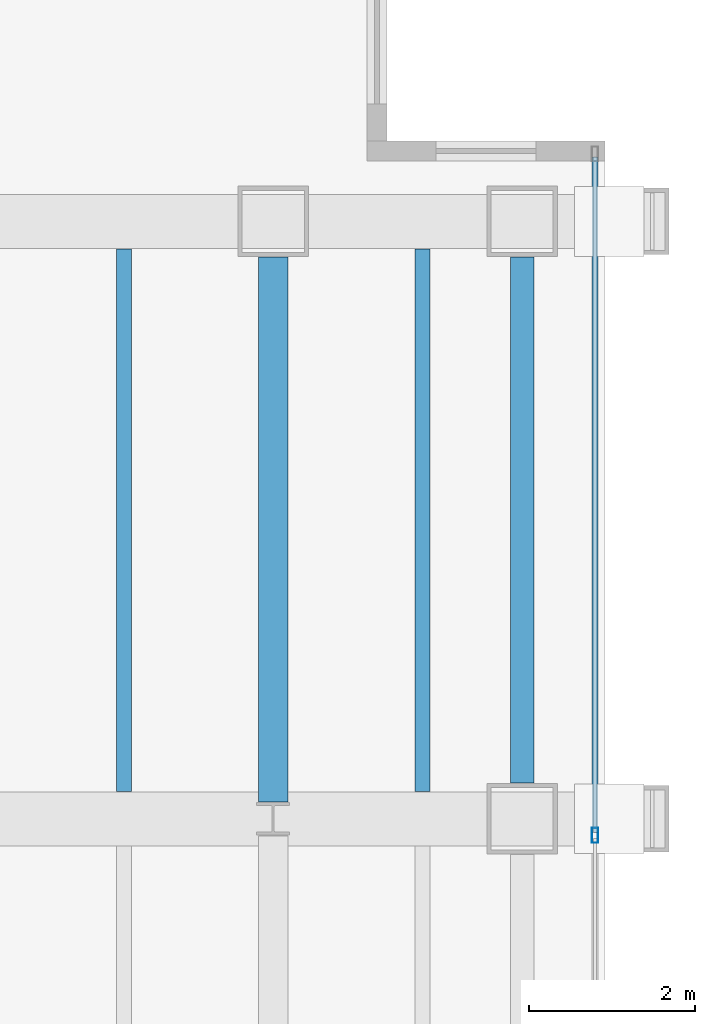
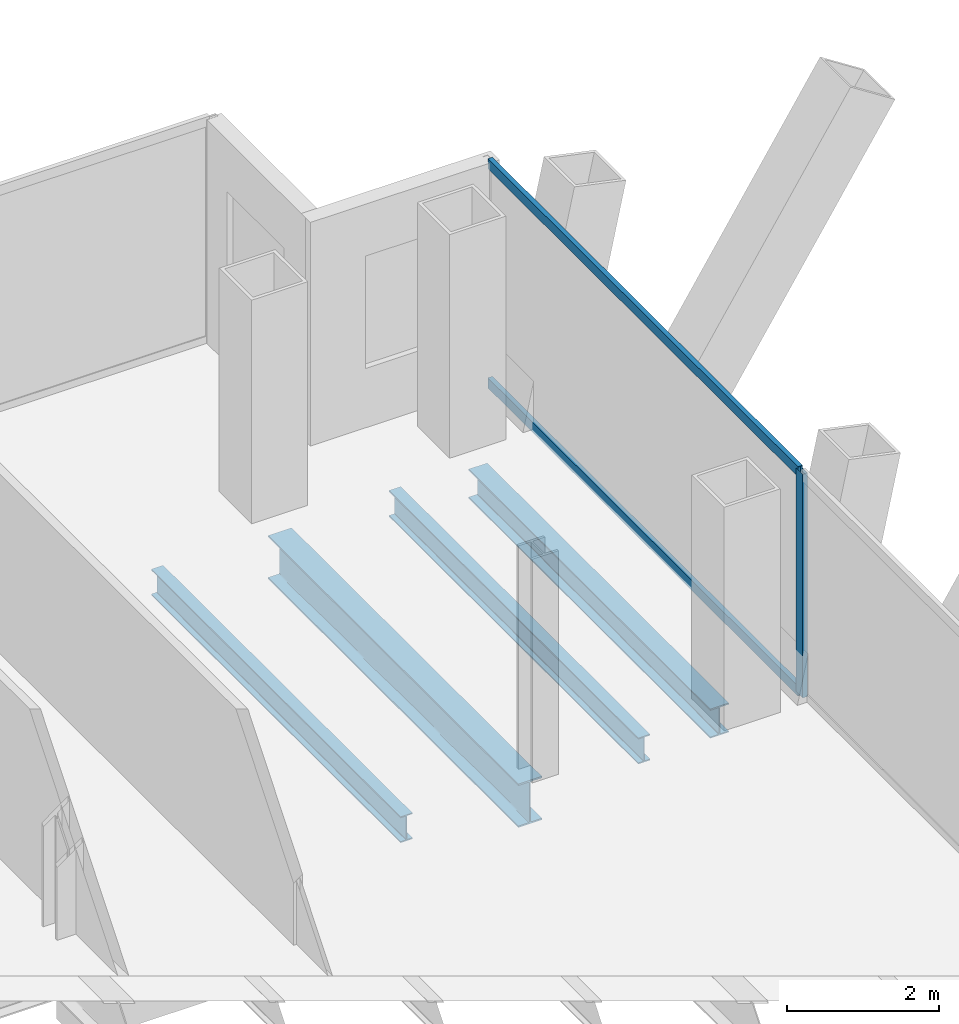
# One storey, part 13 of 23: 4 beams, 3 members, 1 element without a shape of its own.
"""IFC4 building model written with IfcOpenShell, lengths in metres."""

from ifc_helpers import new_model, si_unit, direction, frame, origin, origin_2d, place, context, subcontext, project, spatial, hollow_rectangle, i_section, extrude, material, material_profile, profile_set, type_object, element, aggregate, save


model = new_model("IFC4")

# Units and contexts
model_context = context("Model", 3, precision=1e-05, world=origin(), true_north=direction((0.0, 1.0)))
body_context = subcontext(model_context, "Body", "Model", "MODEL_VIEW")
ifc_project = project(units=[si_unit("LENGTHUNIT", "METRE"), si_unit("AREAUNIT", "SQUARE_METRE"), si_unit("VOLUMEUNIT", "CUBIC_METRE"), si_unit("PLANEANGLEUNIT", "RADIAN"), si_unit("MASSUNIT", "GRAM", prefix="KILO")], contexts=[model_context])

# Site, building, storey
site_placement = place(None, origin())
site = spatial("IfcSite", under=ifc_project, at=site_placement, CompositionType="ELEMENT")
building_placement = place(site_placement, origin())
building = spatial("IfcBuilding", under=site, at=building_placement, Name="Cobrela Telecom Tower", CompositionType="ELEMENT")
storey_placement = place(building_placement, frame((0.0, 0.0, 159.949951171875)))
storey = spatial("IfcBuildingStorey", under=building, at=storey_placement, Name="L40", CompositionType="ELEMENT", Elevation=159.949951171875)

# Beams
ifc_material_1 = material(Name="Steel ASTM A992 Grade 50", Category="steel")
ifc_material_profile_1 = material_profile(ifc_material_1, i_section(OverallWidth=0.35595703125, OverallDepth=0.696044921875, WebThickness=0.015380859375, FlangeThickness=0.024658203125, FilletRadius=0.01806640625, at=origin_2d()), Name="W27X146")
ifc_profile_set_1 = profile_set([ifc_material_profile_1], Name="Steel ASTM A992 Grade 50")
beam_type_1 = type_object("IfcBeamType", Name="BM-GIRD-05", PredefinedType="USERDEFINED", material=ifc_profile_set_1)
beam_1_placement = place(storey_placement, frame((43.199951171875, 14.6044921875, -0.617919921875), z_axis=(0.0, 1.0, 0.0), x_axis=(-1.0, 0.0, 0.0)))
element("IfcBeam", 1, at=beam_1_placement, inside=storey, type_object=beam_type_1, Name="L40 Primary Girder Y50", ObjectType="GIRDER", PredefinedType="USERDEFINED", context=body_context, shape_type="SweptSolid", body=[
    extrude(i_section(OverallWidth=0.35595703125, OverallDepth=0.696044921875, WebThickness=0.015380859375, FlangeThickness=0.024658203125, FilletRadius=0.01806640625, at=origin_2d()), origin(), (0.0, 0.0, 1.0), 6.5654296875),
])
ifc_material_profile_2 = material_profile(ifc_material_1, i_section(OverallWidth=0.179931640625, OverallDepth=0.4169921875, WebThickness=0.010986328125, FlangeThickness=0.01806640625, FilletRadius=0.011962890625, at=origin_2d()), Name="W16X57")
ifc_profile_set_2 = profile_set([ifc_material_profile_2], Name="Steel ASTM A992 Grade 50")
beam_type_2 = type_object("IfcBeamType", Name="BM-JOIST-04", PredefinedType="JOIST", material=ifc_profile_set_2)
for number, where, z_axis, x_axis, name in (
    (2, (41.39990234375, 14.72998046875, -0.478515625), (0.0, 1.0, 0.0), (-1.0, 0.0, 0.0), "L40 Secondary Composite Floor Beam J38"),
    (3, (45.0, 14.72998046875, -0.478515625), (0.0, 1.0, 0.0), (-1.0, 0.0, 0.0), "L40 Secondary Composite Floor Beam J40"),
):
    element("IfcBeam", number, at=place(storey_placement, frame(where, z_axis=z_axis, x_axis=x_axis)), inside=storey, type_object=beam_type_2, Name=name, PredefinedType="JOIST", context=body_context, shape_type="SweptSolid", body=[
        extrude(i_section(OverallWidth=0.179931640625, OverallDepth=0.4169921875, WebThickness=0.010986328125, FlangeThickness=0.01806640625, FilletRadius=0.011962890625, at=origin_2d()), origin(), (0.0, 0.0, 1.0), 6.5400390625),
    ])
ifc_material_profile_3 = material_profile(ifc_material_1, i_section(OverallWidth=0.281982421875, OverallDepth=0.467041015625, WebThickness=0.01220703125, FlangeThickness=0.01953125, FilletRadius=0.012939453125, at=origin_2d()), Name="W18X86")
ifc_profile_set_3 = profile_set([ifc_material_profile_3], Name="Steel ASTM A992 Grade 50")
beam_type_3 = type_object("IfcBeamType", Name="BM-SPAND-04", PredefinedType="SPANDREL", material=ifc_profile_set_3)
beam_2_placement = place(storey_placement, frame((46.199951171875, 14.830078125, -0.50341796875), z_axis=(0.0, 1.0, 0.0), x_axis=(-1.0, 0.0, 0.0)))
element("IfcBeam", 4, at=beam_2_placement, inside=storey, type_object=beam_type_3, Name="L40 Perimeter Spandrel Y52", PredefinedType="SPANDREL", context=body_context, shape_type="SweptSolid", body=[
    extrude(i_section(OverallWidth=0.281982421875, OverallDepth=0.467041015625, WebThickness=0.01220703125, FlangeThickness=0.01953125, FilletRadius=0.012939453125, at=origin_2d()), origin(), (0.0, 0.0, 1.0), 6.33984375),
])

# Curtain wall, members
ifc_material_2 = material(Name="Anodized Bronze Aluminium 6063-T6", Category="aluminium")
curtain_wall_type = type_object("IfcCurtainWallType", Name="CW-SYS-TEL", PredefinedType="USERDEFINED", material=ifc_material_2)
curtain_wall_placement = place(storey_placement, origin())
curtain_wall = element("IfcCurtainWall", 5, at=curtain_wall_placement, inside=storey, type_object=curtain_wall_type, Name="L40 Unitised Bronze Curtain Wall 14", ObjectType="UNITISED CURTAIN WALL", PredefinedType="USERDEFINED")
ifc_material_profile_4 = material_profile(ifc_material_2, hollow_rectangle(XDim=0.074951171875, YDim=0.179931640625, WallThickness=0.00390625, at=origin_2d()), Name="ALU 75x180x4")
ifc_profile_set_4 = profile_set([ifc_material_profile_4], Name="Anodized Bronze Aluminium 6063-T6")
member_type_1 = type_object("IfcMemberType", Name="CW-SYS-TEL-MUL", PredefinedType="MULLION", material=ifc_profile_set_4)
member_1_placement = place(storey_placement, frame((47.080078125, 14.199951171875, 0.0), z_axis=(0.0, 0.0, 1.0), x_axis=(1.0, 0.0, 0.0)))
member_1 = element("IfcMember", 6, at=member_1_placement, type_object=member_type_1, Name="CW-TEL mullion 2", PredefinedType="MULLION", context=body_context, shape_type="SweptSolid", body=[
    extrude(hollow_rectangle(XDim=0.074951171875, YDim=0.179931640625, WallThickness=0.00390625, at=origin_2d()), origin(), (0.0, 0.0, 1.0), 3.580078125),
])
ifc_material_profile_5 = material_profile(ifc_material_2, hollow_rectangle(XDim=0.070068359375, YDim=0.159912109375, WallThickness=0.00390625, at=origin_2d()), Name="ALU 70x160x4")
ifc_profile_set_5 = profile_set([ifc_material_profile_5], Name="Anodized Bronze Aluminium 6063-T6")
member_type_2 = type_object("IfcMemberType", Name="CW-SYS-TEL-TRN", PredefinedType="USERDEFINED", material=ifc_profile_set_5)
member_2_placement = place(storey_placement, frame((47.080078125, 22.375, 0.03515625), z_axis=(0.0, -1.0, 0.0), x_axis=(1.0, 0.0, 0.0)))
member_2 = element("IfcMember", 7, at=member_2_placement, type_object=member_type_2, Name="CW-TEL transom 1.1", ObjectType="TRANSOM", PredefinedType="USERDEFINED", context=body_context, shape_type="SweptSolid", body=[
    extrude(hollow_rectangle(XDim=0.070068359375, YDim=0.159912109375, WallThickness=0.00390625, at=origin_2d()), origin(), (0.0, 0.0, 1.0), 8.137451171875),
])
member_3_placement = place(storey_placement, frame((47.080078125, 22.375, 3.545166015625), z_axis=(0.0, -1.0, 0.0), x_axis=(1.0, 0.0, 0.0)))
member_3 = element("IfcMember", 8, at=member_3_placement, type_object=member_type_2, Name="CW-TEL transom 1.2", ObjectType="TRANSOM", PredefinedType="USERDEFINED", context=body_context, shape_type="SweptSolid", body=[
    extrude(hollow_rectangle(XDim=0.070068359375, YDim=0.159912109375, WallThickness=0.00390625, at=origin_2d()), origin(), (0.0, 0.0, 1.0), 8.137451171875),
])
aggregate(curtain_wall, [member_1, member_2, member_3])

save(model, "model.ifc")
